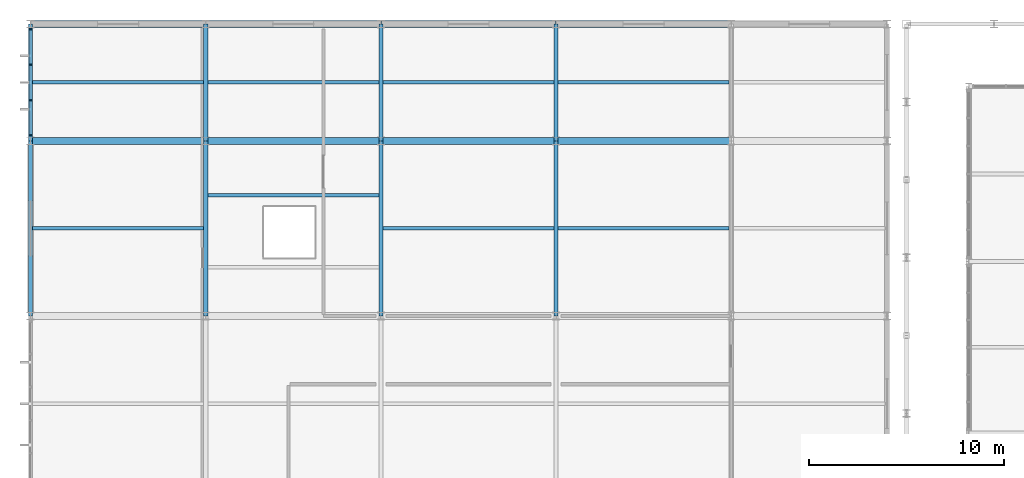
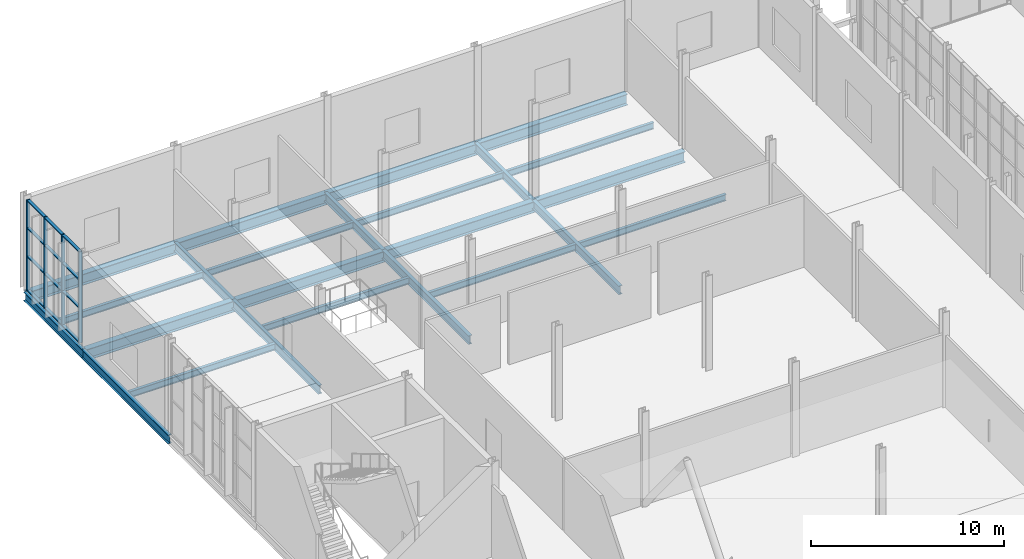
# One storey, part 56 of 159: 24 beams, 16 members, 1 element without a shape of its own.
"""IFC4 building model written with IfcOpenShell, lengths in metres."""

from ifc_helpers import new_model, si_unit, direction, frame, origin, origin_2d, place, context, subcontext, project, spatial, rectangle, i_section, extrude, material, layer, layer_set, material_profile, profile_set, type_object, element, aggregate, save


model = new_model("IFC4")

# Units and contexts
model_context = context("Model", 3, precision=1e-05, world=origin(), true_north=direction((0.0, 1.0)))
body_context = subcontext(model_context, "Body", "Model", "MODEL_VIEW")
ifc_project = project(units=[si_unit("LENGTHUNIT", "METRE"), si_unit("AREAUNIT", "SQUARE_METRE"), si_unit("VOLUMEUNIT", "CUBIC_METRE"), si_unit("PLANEANGLEUNIT", "RADIAN"), si_unit("MASSUNIT", "GRAM", prefix="KILO")], contexts=[model_context])

# Site, building, storey
site_placement = place(None, origin())
site = spatial("IfcSite", under=ifc_project, at=site_placement, CompositionType="ELEMENT")
building_placement = place(site_placement, origin())
building = spatial("IfcBuilding", under=site, at=building_placement, Name="Cazmaro Siding Exhibition Halls", CompositionType="ELEMENT")
storey_placement = place(building_placement, frame((0.0, 0.0, 6.0)))
storey = spatial("IfcBuildingStorey", under=building, at=storey_placement, Name="L01", CompositionType="ELEMENT", Elevation=6.0)

# Beams
ifc_material_1 = material(Name="Steel ASTM A992 Grade 50", Category="steel")
ifc_material_profile_1 = material_profile(ifc_material_1, i_section(OverallWidth=0.214111328125, OverallDepth=0.549072265625, WebThickness=0.014892578125, FlangeThickness=0.02392578125, at=origin_2d()), Name="W21X93")
ifc_profile_set_1 = profile_set([ifc_material_profile_1], Name="Steel ASTM A992 Grade 50")
beam_type_1 = type_object("IfcBeamType", Name="B-01", PredefinedType="BEAM", material=ifc_profile_set_1)
beam_1_placement = place(storey_placement, frame((0.0, 109.0, -0.493896484375), z_axis=(0.0, 1.0, 0.0), x_axis=(-1.0, 0.0, 0.0)))
element("IfcBeam", 1, at=beam_1_placement, inside=storey, type_object=beam_type_1, Name="Beam B-01 BM-2000", PredefinedType="BEAM", context=body_context, shape_type="SweptSolid", body=[
    extrude(i_section(OverallWidth=0.214111328125, OverallDepth=0.549072265625, WebThickness=0.014892578125, FlangeThickness=0.02392578125, at=origin_2d()), origin(), (0.0, 0.0, 1.0), 9.0),
])
beam_2_placement = place(storey_placement, frame((0.0, 118.0, -0.493896484375), z_axis=(0.0, 1.0, 0.0), x_axis=(-1.0, 0.0, 0.0)))
element("IfcBeam", 2, at=beam_2_placement, inside=storey, type_object=beam_type_1, Name="Beam B-01 BM-2001", PredefinedType="BEAM", context=body_context, shape_type="SweptSolid", body=[
    extrude(i_section(OverallWidth=0.214111328125, OverallDepth=0.549072265625, WebThickness=0.014892578125, FlangeThickness=0.02392578125, at=origin_2d()), origin(), (0.0, 0.0, 1.0), 6.0),
])
beam_3_placement = place(storey_placement, frame((9.0, 109.0, -0.493896484375), z_axis=(0.0, 1.0, 0.0), x_axis=(-1.0, 0.0, 0.0)))
element("IfcBeam", 3, at=beam_3_placement, inside=storey, type_object=beam_type_1, Name="Beam B-01 BM-2008", PredefinedType="BEAM", context=body_context, shape_type="SweptSolid", body=[
    extrude(i_section(OverallWidth=0.214111328125, OverallDepth=0.549072265625, WebThickness=0.014892578125, FlangeThickness=0.02392578125, at=origin_2d()), origin(), (0.0, 0.0, 1.0), 9.0),
])
beam_4_placement = place(storey_placement, frame((9.0, 118.0, -0.493896484375), z_axis=(0.0, 1.0, 0.0), x_axis=(-1.0, 0.0, 0.0)))
element("IfcBeam", 4, at=beam_4_placement, inside=storey, type_object=beam_type_1, Name="Beam B-01 BM-2009", PredefinedType="BEAM", context=body_context, shape_type="SweptSolid", body=[
    extrude(i_section(OverallWidth=0.214111328125, OverallDepth=0.549072265625, WebThickness=0.014892578125, FlangeThickness=0.02392578125, at=origin_2d()), origin(), (0.0, 0.0, 1.0), 6.0),
])
beam_5_placement = place(storey_placement, frame((18.0, 109.0, -0.493896484375), z_axis=(0.0, 1.0, 0.0), x_axis=(-1.0, 0.0, 0.0)))
element("IfcBeam", 5, at=beam_5_placement, inside=storey, type_object=beam_type_1, Name="Beam B-01 BM-2016", PredefinedType="BEAM", context=body_context, shape_type="SweptSolid", body=[
    extrude(i_section(OverallWidth=0.214111328125, OverallDepth=0.549072265625, WebThickness=0.014892578125, FlangeThickness=0.02392578125, at=origin_2d()), origin(), (0.0, 0.0, 1.0), 9.0),
])
beam_6_placement = place(storey_placement, frame((18.0, 118.0, -0.493896484375), z_axis=(0.0, 1.0, 0.0), x_axis=(-1.0, 0.0, 0.0)))
element("IfcBeam", 6, at=beam_6_placement, inside=storey, type_object=beam_type_1, Name="Beam B-01 BM-2017", PredefinedType="BEAM", context=body_context, shape_type="SweptSolid", body=[
    extrude(i_section(OverallWidth=0.214111328125, OverallDepth=0.549072265625, WebThickness=0.014892578125, FlangeThickness=0.02392578125, at=origin_2d()), origin(), (0.0, 0.0, 1.0), 6.0),
])
beam_7_placement = place(storey_placement, frame((27.0, 109.0, -0.493896484375), z_axis=(0.0, 1.0, 0.0), x_axis=(-1.0, 0.0, 0.0)))
element("IfcBeam", 7, at=beam_7_placement, inside=storey, type_object=beam_type_1, Name="Beam B-01 BM-2024", PredefinedType="BEAM", context=body_context, shape_type="SweptSolid", body=[
    extrude(i_section(OverallWidth=0.214111328125, OverallDepth=0.549072265625, WebThickness=0.014892578125, FlangeThickness=0.02392578125, at=origin_2d()), origin(), (0.0, 0.0, 1.0), 9.0),
])
beam_8_placement = place(storey_placement, frame((27.0, 118.0, -0.493896484375), z_axis=(0.0, 1.0, 0.0), x_axis=(-1.0, 0.0, 0.0)))
element("IfcBeam", 8, at=beam_8_placement, inside=storey, type_object=beam_type_1, Name="Beam B-01 BM-2025", PredefinedType="BEAM", context=body_context, shape_type="SweptSolid", body=[
    extrude(i_section(OverallWidth=0.214111328125, OverallDepth=0.549072265625, WebThickness=0.014892578125, FlangeThickness=0.02392578125, at=origin_2d()), origin(), (0.0, 0.0, 1.0), 6.0),
])

# Curtain wall, members
ifc_material_2 = material(Name="Anodized Bronze Aluminum and Solar-Control Low-E Glazing", Category="aluminium")
ifc_layer = layer(ifc_material_2, 0.199951171875)
ifc_layer_set = layer_set([ifc_layer], Name="Anodized Bronze Aluminum and Solar-Control Low-E Glazing")
curtain_wall_type = type_object("IfcCurtainWallType", Name="CWS-02", PredefinedType="USERDEFINED", material=ifc_layer_set)
curtain_wall_placement = place(storey_placement, origin())
curtain_wall = element("IfcCurtainWall", 9, at=curtain_wall_placement, inside=storey, type_object=curtain_wall_type, Name="Glazed Curtain Wall CWS-02 CW-235", ObjectType="GLAZED CURTAIN WALL", PredefinedType="USERDEFINED")
ifc_material_3 = material(Name="Anodized Bronze Extruded Aluminum", Category="aluminium")
ifc_material_profile_2 = material_profile(ifc_material_3, rectangle(XDim=0.199951171875, YDim=0.06494140625, at=origin_2d()), Name="CWM-02")
ifc_profile_set_2 = profile_set([ifc_material_profile_2], Name="Anodized Bronze Extruded Aluminum")
member_type_1 = type_object("IfcMemberType", Name="CWM-02", PredefinedType="MULLION", material=ifc_profile_set_2)
member_1_placement = place(storey_placement, frame((0.0, 123.714599609375, 0.0), z_axis=(0.0, 0.0, 1.0), x_axis=(1.0, 0.0, 0.0)))
member_1 = element("IfcMember", 10, at=member_1_placement, type_object=member_type_1, Name="CWS-02 mullion 1", PredefinedType="MULLION", context=body_context, shape_type="SweptSolid", body=[
    extrude(rectangle(XDim=0.199951171875, YDim=0.06494140625, at=origin_2d()), origin(), (0.0, 0.0, 1.0), 5.780029296875),
])
member_2_placement = place(storey_placement, frame((0.0, 121.915771484375, 0.0), z_axis=(0.0, 0.0, 1.0), x_axis=(1.0, 0.0, 0.0)))
member_2 = element("IfcMember", 11, at=member_2_placement, type_object=member_type_1, Name="CWS-02 mullion 2", PredefinedType="MULLION", context=body_context, shape_type="SweptSolid", body=[
    extrude(rectangle(XDim=0.199951171875, YDim=0.06494140625, at=origin_2d()), origin(), (0.0, 0.0, 1.0), 5.780029296875),
])
member_3_placement = place(storey_placement, frame((0.0, 120.084228515625, 0.0), z_axis=(0.0, 0.0, 1.0), x_axis=(1.0, 0.0, 0.0)))
member_3 = element("IfcMember", 12, at=member_3_placement, type_object=member_type_1, Name="CWS-02 mullion 3", PredefinedType="MULLION", context=body_context, shape_type="SweptSolid", body=[
    extrude(rectangle(XDim=0.199951171875, YDim=0.06494140625, at=origin_2d()), origin(), (0.0, 0.0, 1.0), 5.780029296875),
])
member_4_placement = place(storey_placement, frame((0.0, 118.285400390625, 0.0), z_axis=(0.0, 0.0, 1.0), x_axis=(1.0, 0.0, 0.0)))
member_4 = element("IfcMember", 13, at=member_4_placement, type_object=member_type_1, Name="CWS-02 mullion 4", PredefinedType="MULLION", context=body_context, shape_type="SweptSolid", body=[
    extrude(rectangle(XDim=0.199951171875, YDim=0.06494140625, at=origin_2d()), origin(), (0.0, 0.0, 1.0), 5.780029296875),
])
ifc_material_4 = material(Name="Anodized Bronze Extruded Aluminum", Category="aluminium")
ifc_material_profile_3 = material_profile(ifc_material_4, rectangle(XDim=0.179931640625, YDim=0.06494140625, at=origin_2d()), Name="CWT-02")
ifc_profile_set_3 = profile_set([ifc_material_profile_3], Name="Anodized Bronze Extruded Aluminum")
member_type_2 = type_object("IfcMemberType", Name="CWT-02", PredefinedType="MULLION", material=ifc_profile_set_3)
member_5_placement = place(storey_placement, frame((0.0, 123.681884765625, 0.032470703125), z_axis=(0.0, -1.0, 0.0), x_axis=(1.0, 0.0, 0.0)))
member_5 = element("IfcMember", 14, at=member_5_placement, type_object=member_type_2, Name="CWS-02 transom 1.1", ObjectType="TRANSOM", PredefinedType="USERDEFINED", context=body_context, shape_type="SweptSolid", body=[
    extrude(rectangle(XDim=0.179931640625, YDim=0.06494140625, at=origin_2d()), origin(), (0.0, 0.0, 1.0), 1.733642578125),
])
member_6_placement = place(storey_placement, frame((0.0, 123.681884765625, 2.199951171875), z_axis=(0.0, -1.0, 0.0), x_axis=(1.0, 0.0, 0.0)))
member_6 = element("IfcMember", 15, at=member_6_placement, type_object=member_type_2, Name="CWS-02 transom 1.2", ObjectType="TRANSOM", PredefinedType="USERDEFINED", context=body_context, shape_type="SweptSolid", body=[
    extrude(rectangle(XDim=0.179931640625, YDim=0.06494140625, at=origin_2d()), origin(), (0.0, 0.0, 1.0), 1.733642578125),
])
member_7_placement = place(storey_placement, frame((0.0, 123.681884765625, 4.0), z_axis=(0.0, -1.0, 0.0), x_axis=(1.0, 0.0, 0.0)))
member_7 = element("IfcMember", 16, at=member_7_placement, type_object=member_type_2, Name="CWS-02 transom 1.3", ObjectType="TRANSOM", PredefinedType="USERDEFINED", context=body_context, shape_type="SweptSolid", body=[
    extrude(rectangle(XDim=0.179931640625, YDim=0.06494140625, at=origin_2d()), origin(), (0.0, 0.0, 1.0), 1.733642578125),
])
member_8_placement = place(storey_placement, frame((0.0, 123.681884765625, 5.74755859375), z_axis=(0.0, -1.0, 0.0), x_axis=(1.0, 0.0, 0.0)))
member_8 = element("IfcMember", 17, at=member_8_placement, type_object=member_type_2, Name="CWS-02 transom 1.4", ObjectType="TRANSOM", PredefinedType="USERDEFINED", context=body_context, shape_type="SweptSolid", body=[
    extrude(rectangle(XDim=0.179931640625, YDim=0.06494140625, at=origin_2d()), origin(), (0.0, 0.0, 1.0), 1.733642578125),
])
member_9_placement = place(storey_placement, frame((0.0, 121.883056640625, 0.032470703125), z_axis=(0.0, -1.0, 0.0), x_axis=(1.0, 0.0, 0.0)))
member_9 = element("IfcMember", 18, at=member_9_placement, type_object=member_type_2, Name="CWS-02 transom 2.1", ObjectType="TRANSOM", PredefinedType="USERDEFINED", context=body_context, shape_type="SweptSolid", body=[
    extrude(rectangle(XDim=0.179931640625, YDim=0.06494140625, at=origin_2d()), origin(), (0.0, 0.0, 1.0), 1.76611328125),
])
member_10_placement = place(storey_placement, frame((0.0, 121.883056640625, 2.199951171875), z_axis=(0.0, -1.0, 0.0), x_axis=(1.0, 0.0, 0.0)))
member_10 = element("IfcMember", 19, at=member_10_placement, type_object=member_type_2, Name="CWS-02 transom 2.2", ObjectType="TRANSOM", PredefinedType="USERDEFINED", context=body_context, shape_type="SweptSolid", body=[
    extrude(rectangle(XDim=0.179931640625, YDim=0.06494140625, at=origin_2d()), origin(), (0.0, 0.0, 1.0), 1.76611328125),
])
member_11_placement = place(storey_placement, frame((0.0, 121.883056640625, 4.0), z_axis=(0.0, -1.0, 0.0), x_axis=(1.0, 0.0, 0.0)))
member_11 = element("IfcMember", 20, at=member_11_placement, type_object=member_type_2, Name="CWS-02 transom 2.3", ObjectType="TRANSOM", PredefinedType="USERDEFINED", context=body_context, shape_type="SweptSolid", body=[
    extrude(rectangle(XDim=0.179931640625, YDim=0.06494140625, at=origin_2d()), origin(), (0.0, 0.0, 1.0), 1.76611328125),
])
member_12_placement = place(storey_placement, frame((0.0, 121.883056640625, 5.74755859375), z_axis=(0.0, -1.0, 0.0), x_axis=(1.0, 0.0, 0.0)))
member_12 = element("IfcMember", 21, at=member_12_placement, type_object=member_type_2, Name="CWS-02 transom 2.4", ObjectType="TRANSOM", PredefinedType="USERDEFINED", context=body_context, shape_type="SweptSolid", body=[
    extrude(rectangle(XDim=0.179931640625, YDim=0.06494140625, at=origin_2d()), origin(), (0.0, 0.0, 1.0), 1.76611328125),
])
member_13_placement = place(storey_placement, frame((0.0, 120.0517578125, 0.032470703125), z_axis=(0.0, -1.0, 0.0), x_axis=(1.0, 0.0, 0.0)))
member_13 = element("IfcMember", 22, at=member_13_placement, type_object=member_type_2, Name="CWS-02 transom 3.1", ObjectType="TRANSOM", PredefinedType="USERDEFINED", context=body_context, shape_type="SweptSolid", body=[
    extrude(rectangle(XDim=0.179931640625, YDim=0.06494140625, at=origin_2d()), origin(), (0.0, 0.0, 1.0), 1.733642578125),
])
member_14_placement = place(storey_placement, frame((0.0, 120.0517578125, 2.199951171875), z_axis=(0.0, -1.0, 0.0), x_axis=(1.0, 0.0, 0.0)))
member_14 = element("IfcMember", 23, at=member_14_placement, type_object=member_type_2, Name="CWS-02 transom 3.2", ObjectType="TRANSOM", PredefinedType="USERDEFINED", context=body_context, shape_type="SweptSolid", body=[
    extrude(rectangle(XDim=0.179931640625, YDim=0.06494140625, at=origin_2d()), origin(), (0.0, 0.0, 1.0), 1.733642578125),
])
member_15_placement = place(storey_placement, frame((0.0, 120.0517578125, 4.0), z_axis=(0.0, -1.0, 0.0), x_axis=(1.0, 0.0, 0.0)))
member_15 = element("IfcMember", 24, at=member_15_placement, type_object=member_type_2, Name="CWS-02 transom 3.3", ObjectType="TRANSOM", PredefinedType="USERDEFINED", context=body_context, shape_type="SweptSolid", body=[
    extrude(rectangle(XDim=0.179931640625, YDim=0.06494140625, at=origin_2d()), origin(), (0.0, 0.0, 1.0), 1.733642578125),
])
member_16_placement = place(storey_placement, frame((0.0, 120.0517578125, 5.74755859375), z_axis=(0.0, -1.0, 0.0), x_axis=(1.0, 0.0, 0.0)))
member_16 = element("IfcMember", 25, at=member_16_placement, type_object=member_type_2, Name="CWS-02 transom 3.4", ObjectType="TRANSOM", PredefinedType="USERDEFINED", context=body_context, shape_type="SweptSolid", body=[
    extrude(rectangle(XDim=0.179931640625, YDim=0.06494140625, at=origin_2d()), origin(), (0.0, 0.0, 1.0), 1.733642578125),
])
aggregate(curtain_wall, [member_1, member_2, member_3, member_4, member_5, member_6, member_7, member_8, member_9, member_10, member_11, member_12, member_13, member_14, member_15, member_16])

# Beams
ifc_material_5 = material(Name="Steel ASTM A992 Grade 50", Category="steel")
ifc_material_profile_4 = material_profile(ifc_material_5, i_section(OverallWidth=0.35595703125, OverallDepth=0.696044921875, WebThickness=0.014892578125, FlangeThickness=0.02490234375, at=origin_2d()), Name="W27X146")
ifc_profile_set_4 = profile_set([ifc_material_profile_4], Name="Steel ASTM A992 Grade 50")
beam_type_2 = type_object("IfcBeamType", Name="G-05", PredefinedType="USERDEFINED", material=ifc_profile_set_4)
for number, where, z_axis, x_axis, name in (
    (26, (0.0, 118.0, -0.568115234375), (1.0, 0.0, 0.0), (0.0, 1.0, 0.0), "Beam G-05 BM-1934"),
    (27, (0.0, 124.0, -0.568115234375), (1.0, 0.0, 0.0), (0.0, 1.0, 0.0), "Beam G-05 BM-1935"),
    (28, (9.0, 118.0, -0.568115234375), (1.0, 0.0, 0.0), (0.0, 1.0, 0.0), "Beam G-05 BM-1949"),
    (29, (9.0, 124.0, -0.568115234375), (1.0, 0.0, 0.0), (0.0, 1.0, 0.0), "Beam G-05 BM-1950"),
    (30, (18.0, 118.0, -0.568115234375), (1.0, 0.0, 0.0), (0.0, 1.0, 0.0), "Beam G-05 BM-1967"),
    (31, (18.0, 124.0, -0.568115234375), (1.0, 0.0, 0.0), (0.0, 1.0, 0.0), "Beam G-05 BM-1968"),
    (32, (27.0, 118.0, -0.568115234375), (1.0, 0.0, 0.0), (0.0, 1.0, 0.0), "Beam G-05 BM-1984"),
    (33, (27.0, 124.0, -0.568115234375), (1.0, 0.0, 0.0), (0.0, 1.0, 0.0), "Beam G-05 BM-1985"),
):
    element("IfcBeam", number, at=place(storey_placement, frame(where, z_axis=z_axis, x_axis=x_axis)), inside=storey, type_object=beam_type_2, Name=name, ObjectType="GIRDER", PredefinedType="USERDEFINED", context=body_context, shape_type="SweptSolid", body=[
        extrude(i_section(OverallWidth=0.35595703125, OverallDepth=0.696044921875, WebThickness=0.014892578125, FlangeThickness=0.02490234375, at=origin_2d()), origin(), (0.0, 0.0, 1.0), 9.0),
    ])
ifc_material_6 = material(Name="Steel ASTM A992 Grade 50", Category="steel")
ifc_material_profile_5 = material_profile(ifc_material_6, i_section(OverallWidth=0.177978515625, OverallDepth=0.406005859375, WebThickness=0.008056640625, FlangeThickness=0.012939453125, at=origin_2d()), Name="W16X40")
ifc_profile_set_5 = profile_set([ifc_material_profile_5], Name="Steel ASTM A992 Grade 50")
beam_type_3 = type_object("IfcBeamType", Name="J-02", PredefinedType="JOIST", material=ifc_profile_set_5)
for number, where, z_axis, x_axis, name in (
    (34, (0.10693359375, 113.5, -0.423095703125), (1.0, 0.0, 0.0), (0.0, 1.0, 0.0), "Beam J-02 BM-1940"),
    (35, (0.10693359375, 121.0, -0.423095703125), (1.0, 0.0, 0.0), (0.0, 1.0, 0.0), "Beam J-02 BM-1941"),
    (36, (9.10693359375, 115.199951171875, -0.423095703125), (1.0, 0.0, 0.0), (0.0, 1.0, 0.0), "Beam J-02 BM-1958"),
    (37, (9.10693359375, 121.0, -0.423095703125), (1.0, 0.0, 0.0), (0.0, 1.0, 0.0), "Beam J-02 BM-1959"),
    (38, (18.10693359375, 113.5, -0.423095703125), (1.0, 0.0, 0.0), (0.0, 1.0, 0.0), "Beam J-02 BM-1975"),
    (39, (18.10693359375, 121.0, -0.423095703125), (1.0, 0.0, 0.0), (0.0, 1.0, 0.0), "Beam J-02 BM-1976"),
    (40, (27.10693359375, 113.5, -0.423095703125), (1.0, 0.0, 0.0), (0.0, 1.0, 0.0), "Beam J-02 BM-1992"),
    (41, (27.10693359375, 121.0, -0.423095703125), (1.0, 0.0, 0.0), (0.0, 1.0, 0.0), "Beam J-02 BM-1993"),
):
    element("IfcBeam", number, at=place(storey_placement, frame(where, z_axis=z_axis, x_axis=x_axis)), inside=storey, type_object=beam_type_3, Name=name, PredefinedType="JOIST", context=body_context, shape_type="SweptSolid", body=[
        extrude(i_section(OverallWidth=0.177978515625, OverallDepth=0.406005859375, WebThickness=0.008056640625, FlangeThickness=0.012939453125, at=origin_2d()), origin(), (0.0, 0.0, 1.0), 8.7861328125),
    ])

save(model, "model.ifc")
